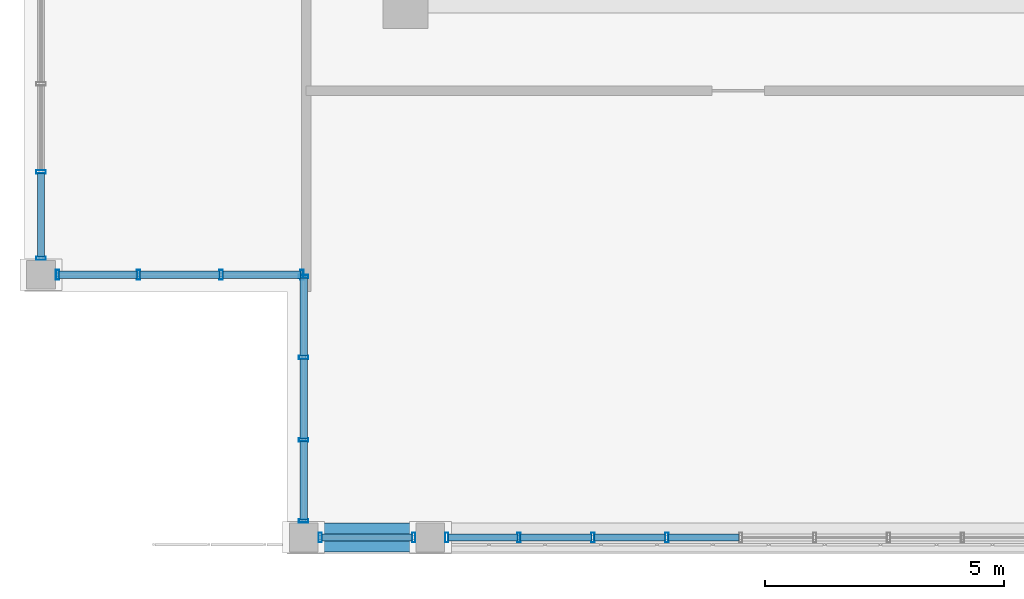
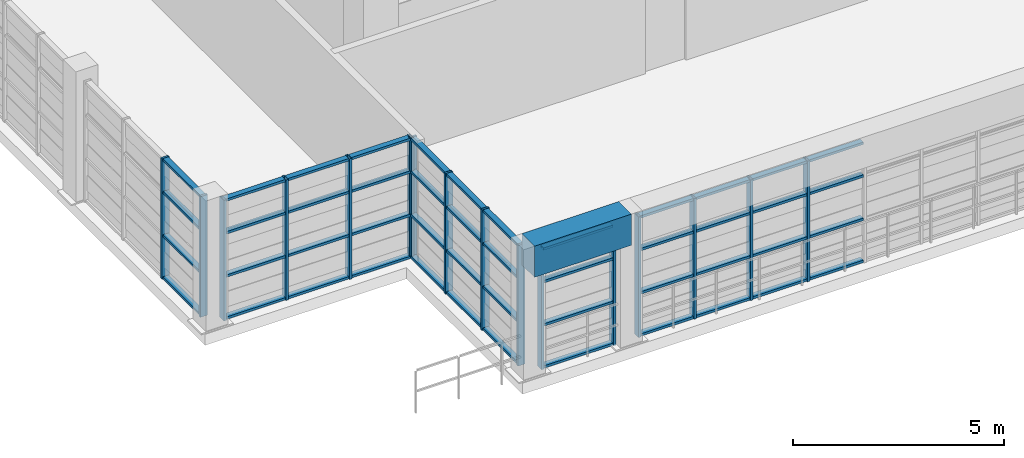
# One storey, part 2 of 24: 64 members, 1 beam, 5 elements without a shape of their own.
"""IFC4 building model written with IfcOpenShell, lengths in metres."""

from ifc_helpers import new_model, si_unit, direction, frame, origin, origin_2d, place, context, subcontext, project, spatial, rectangle, hollow_rectangle, extrude, source, transform, mapped, material, layer, layer_set, material_profile, profile_set, type_object, element, aggregate, save


model = new_model("IFC4")

# Units and contexts
model_context = context("Model", 3, precision=1e-05, world=origin(), true_north=direction((0.0, 1.0)))
body_context = subcontext(model_context, "Body", "Model", "MODEL_VIEW")
ifc_project = project(units=[si_unit("LENGTHUNIT", "METRE"), si_unit("AREAUNIT", "SQUARE_METRE"), si_unit("VOLUMEUNIT", "CUBIC_METRE"), si_unit("PLANEANGLEUNIT", "RADIAN"), si_unit("MASSUNIT", "GRAM", prefix="KILO")], contexts=[model_context])

# Site, building, storey
site_placement = place(None, origin())
site = spatial("IfcSite", under=ifc_project, at=site_placement, CompositionType="ELEMENT")
building_placement = place(site_placement, origin())
building = spatial("IfcBuilding", under=site, at=building_placement, Name="Saelheon Loggia Tower", CompositionType="ELEMENT")
storey_placement = place(building_placement, frame((0.0, 0.0, 252.199951171875)))
storey = spatial("IfcBuildingStorey", under=building, at=storey_placement, Name="CR1", CompositionType="ELEMENT", Elevation=252.199951171875)

# Beam
ifc_material_1 = material(Name="Precast Concrete C45/55", Category="concrete")
ifc_material_profile_1 = material_profile(ifc_material_1, rectangle(XDim=0.60009765625, YDim=0.89990234375, at=origin_2d()), Name="RC-600x900")
ifc_profile_set_1 = profile_set([ifc_material_profile_1], Name="Precast Concrete C45/55")
beam_type = type_object("IfcBeamType", Name="CrownFrame_Ring_RC600x900", PredefinedType="BEAM", material=ifc_profile_set_1)
shared_shape_1 = source(origin(), body_context, "Body", "SweptSolid", [
    extrude(rectangle(XDim=0.60009765625, YDim=0.89990234375, at=origin_2d()), origin(), (0.0, 0.0, 1.0), 2.64990234375),
])
beam_placement = place(storey_placement, frame((28.85009765625, 6.35009765625, 3.35009765625), z_axis=(1.0, 0.0, 0.0), x_axis=(0.0, 1.0, 0.0)))
element("IfcBeam", 1, at=beam_placement, inside=storey, type_object=beam_type, Name="CR1 CROWN FRAME Sill Beam 01", PredefinedType="BEAM", context=body_context, shape_type="MappedRepresentation", body=[
    mapped(shared_shape_1, transform((0.0, 0.0, 0.0), scale=1.0)),
])

# Curtain wall, members
ifc_material_2 = material(Name="Bronze-Anodised Aluminium and Fritted Ceramic Screen", Category="aluminium")
ifc_layer = layer(ifc_material_2, 0.219970703125)
ifc_layer_set = layer_set([ifc_layer], Name="Bronze-Anodised Aluminium and Fritted Ceramic Screen")
curtain_wall_type = type_object("IfcCurtainWallType", Name="CW_CrownScreen", PredefinedType="NOTDEFINED", material=ifc_layer_set)
curtain_wall_1_placement = place(storey_placement, origin())
curtain_wall_1 = element("IfcCurtainWall", 2, at=curtain_wall_1_placement, inside=storey, type_object=curtain_wall_type, Name="CR1 Crown Screen Curtain Wall 0-1", PredefinedType="NOTDEFINED")
ifc_material_3 = material(Name="Bronze-Anodised Aluminium 6063-T6", Category="aluminium")
ifc_material_profile_2 = material_profile(ifc_material_3, hollow_rectangle(XDim=0.070068359375, YDim=0.199951171875, WallThickness=0.0048828125, at=origin_2d()), Name="RHS-200x70x5")
ifc_profile_set_2 = profile_set([ifc_material_profile_2], Name="Bronze-Anodised Aluminium 6063-T6")
member_type_1 = type_object("IfcMemberType", Name="CW_CrownScreen_Mullion", PredefinedType="MULLION", material=ifc_profile_set_2)
shared_shape_2 = source(origin(), body_context, "Body", "SweptSolid", [
    extrude(hollow_rectangle(XDim=0.070068359375, YDim=0.199951171875, WallThickness=0.0048828125, at=origin_2d()), origin(), (0.0, 0.0, 1.0), 3.47998046875),
])
member_1_placement = place(storey_placement, frame((29.195068359375, 6.35009765625, 0.0), z_axis=(0.0, 0.0, 1.0), x_axis=(1.0, 0.0, 0.0)))
member_1 = element("IfcMember", 3, at=member_1_placement, type_object=member_type_1, Name="CW6 mullion 1", PredefinedType="MULLION", context=body_context, shape_type="MappedRepresentation", body=[
    mapped(shared_shape_2, transform((0.0, 0.0, 0.0), scale=1.0)),
])
member_2_placement = place(storey_placement, frame((31.155029296875, 6.35009765625, 0.0), z_axis=(0.0, 0.0, 1.0), x_axis=(1.0, 0.0, 0.0)))
member_2 = element("IfcMember", 4, at=member_2_placement, type_object=member_type_1, Name="CW6 mullion 2", PredefinedType="MULLION", context=body_context, shape_type="MappedRepresentation", body=[
    mapped(shared_shape_2, transform((0.0, 0.0, 0.0), scale=1.0)),
])

curtain_wall_2_placement = place(storey_placement, origin())
curtain_wall_2 = element("IfcCurtainWall", 5, at=curtain_wall_2_placement, inside=storey, type_object=curtain_wall_type, Name="CR1 Crown Screen Curtain Wall 0-2", PredefinedType="NOTDEFINED")
member_3_placement = place(storey_placement, frame((31.844970703125, 6.35009765625, 0.0), z_axis=(0.0, 0.0, 1.0), x_axis=(1.0, 0.0, 0.0)))
member_3 = element("IfcMember", 6, at=member_3_placement, type_object=member_type_1, Name="CW6 mullion 1", PredefinedType="MULLION", context=body_context, shape_type="MappedRepresentation", body=[
    mapped(shared_shape_2, transform((0.0, 0.0, 0.0), scale=1.0)),
])
member_4_placement = place(storey_placement, frame((33.357421875, 6.35009765625, 0.0), z_axis=(0.0, 0.0, 1.0), x_axis=(1.0, 0.0, 0.0)))
member_4 = element("IfcMember", 7, at=member_4_placement, type_object=member_type_1, Name="CW6 mullion 2", PredefinedType="MULLION", context=body_context, shape_type="MappedRepresentation", body=[
    mapped(shared_shape_2, transform((0.0, 0.0, 0.0), scale=1.0)),
])
member_5_placement = place(storey_placement, frame((34.905029296875, 6.35009765625, 0.0), z_axis=(0.0, 0.0, 1.0), x_axis=(1.0, 0.0, 0.0)))
member_5 = element("IfcMember", 8, at=member_5_placement, type_object=member_type_1, Name="CW6 mullion 3", PredefinedType="MULLION", context=body_context, shape_type="MappedRepresentation", body=[
    mapped(shared_shape_2, transform((0.0, 0.0, 0.0), scale=1.0)),
])
member_6_placement = place(storey_placement, frame((36.452392578125, 6.35009765625, 0.0), z_axis=(0.0, 0.0, 1.0), x_axis=(1.0, 0.0, 0.0)))
member_6 = element("IfcMember", 9, at=member_6_placement, type_object=member_type_1, Name="CW6 mullion 4", PredefinedType="MULLION", context=body_context, shape_type="MappedRepresentation", body=[
    mapped(shared_shape_2, transform((0.0, 0.0, 0.0), scale=1.0)),
])

curtain_wall_3_placement = place(storey_placement, origin())
curtain_wall_3 = element("IfcCurtainWall", 10, at=curtain_wall_3_placement, inside=storey, type_object=curtain_wall_type, Name="CR1 Crown Screen Curtain Wall 9-3", PredefinedType="NOTDEFINED")
member_7_placement = place(storey_placement, frame((23.35009765625, 14.00341796875, 0.0), z_axis=(0.0, 0.0, 1.0), x_axis=(0.0, -1.0, 0.0)))
member_7 = element("IfcMember", 11, at=member_7_placement, type_object=member_type_1, Name="CW6 mullion 3", PredefinedType="MULLION", context=body_context, shape_type="MappedRepresentation", body=[
    mapped(shared_shape_2, transform((0.0, 0.0, 0.0), scale=1.0)),
])
member_8_placement = place(storey_placement, frame((23.35009765625, 12.195068359375, 0.0), z_axis=(0.0, 0.0, 1.0), x_axis=(0.0, -1.0, 0.0)))
member_8 = element("IfcMember", 12, at=member_8_placement, type_object=member_type_1, Name="CW6 mullion 4", PredefinedType="MULLION", context=body_context, shape_type="MappedRepresentation", body=[
    mapped(shared_shape_2, transform((0.0, 0.0, 0.0), scale=1.0)),
])

curtain_wall_4_placement = place(storey_placement, origin())
curtain_wall_4 = element("IfcCurtainWall", 13, at=curtain_wall_4_placement, inside=storey, type_object=curtain_wall_type, Name="CR1 Crown Screen Curtain Wall 10-1", PredefinedType="NOTDEFINED")
member_9_placement = place(storey_placement, frame((23.695068359375, 11.85009765625, 0.0), z_axis=(0.0, 0.0, 1.0), x_axis=(1.0, 0.0, 0.0)))
member_9 = element("IfcMember", 14, at=member_9_placement, type_object=member_type_1, Name="CW6 mullion 1", PredefinedType="MULLION", context=body_context, shape_type="MappedRepresentation", body=[
    mapped(shared_shape_2, transform((0.0, 0.0, 0.0), scale=1.0)),
])
member_10_placement = place(storey_placement, frame((25.389892578125, 11.85009765625, 0.0), z_axis=(0.0, 0.0, 1.0), x_axis=(1.0, 0.0, 0.0)))
member_10 = element("IfcMember", 15, at=member_10_placement, type_object=member_type_1, Name="CW6 mullion 2", PredefinedType="MULLION", context=body_context, shape_type="MappedRepresentation", body=[
    mapped(shared_shape_2, transform((0.0, 0.0, 0.0), scale=1.0)),
])
member_11_placement = place(storey_placement, frame((27.1201171875, 11.85009765625, 0.0), z_axis=(0.0, 0.0, 1.0), x_axis=(1.0, 0.0, 0.0)))
member_11 = element("IfcMember", 16, at=member_11_placement, type_object=member_type_1, Name="CW6 mullion 3", PredefinedType="MULLION", context=body_context, shape_type="MappedRepresentation", body=[
    mapped(shared_shape_2, transform((0.0, 0.0, 0.0), scale=1.0)),
])
member_12_placement = place(storey_placement, frame((28.81494140625, 11.85009765625, 0.0), z_axis=(0.0, 0.0, 1.0), x_axis=(1.0, 0.0, 0.0)))
member_12 = element("IfcMember", 17, at=member_12_placement, type_object=member_type_1, Name="CW6 mullion 4", PredefinedType="MULLION", context=body_context, shape_type="MappedRepresentation", body=[
    mapped(shared_shape_2, transform((0.0, 0.0, 0.0), scale=1.0)),
])

curtain_wall_5_placement = place(storey_placement, origin())
curtain_wall_5 = element("IfcCurtainWall", 18, at=curtain_wall_5_placement, inside=storey, type_object=curtain_wall_type, Name="CR1 Crown Screen Curtain Wall 11-1", PredefinedType="NOTDEFINED")
member_13_placement = place(storey_placement, frame((28.85009765625, 11.81494140625, 0.0), z_axis=(0.0, 0.0, 1.0), x_axis=(0.0, -1.0, 0.0)))
member_13 = element("IfcMember", 19, at=member_13_placement, type_object=member_type_1, Name="CW6 mullion 1", PredefinedType="MULLION", context=body_context, shape_type="MappedRepresentation", body=[
    mapped(shared_shape_2, transform((0.0, 0.0, 0.0), scale=1.0)),
])
member_14_placement = place(storey_placement, frame((28.85009765625, 10.1201171875, 0.0), z_axis=(0.0, 0.0, 1.0), x_axis=(0.0, -1.0, 0.0)))
member_14 = element("IfcMember", 20, at=member_14_placement, type_object=member_type_1, Name="CW6 mullion 2", PredefinedType="MULLION", context=body_context, shape_type="MappedRepresentation", body=[
    mapped(shared_shape_2, transform((0.0, 0.0, 0.0), scale=1.0)),
])
member_15_placement = place(storey_placement, frame((28.85009765625, 8.389892578125, 0.0), z_axis=(0.0, 0.0, 1.0), x_axis=(0.0, -1.0, 0.0)))
member_15 = element("IfcMember", 21, at=member_15_placement, type_object=member_type_1, Name="CW6 mullion 3", PredefinedType="MULLION", context=body_context, shape_type="MappedRepresentation", body=[
    mapped(shared_shape_2, transform((0.0, 0.0, 0.0), scale=1.0)),
])
member_16_placement = place(storey_placement, frame((28.85009765625, 6.695068359375, 0.0), z_axis=(0.0, 0.0, 1.0), x_axis=(0.0, -1.0, 0.0)))
member_16 = element("IfcMember", 22, at=member_16_placement, type_object=member_type_1, Name="CW6 mullion 4", PredefinedType="MULLION", context=body_context, shape_type="MappedRepresentation", body=[
    mapped(shared_shape_2, transform((0.0, 0.0, 0.0), scale=1.0)),
])

# Member
ifc_material_profile_3 = material_profile(ifc_material_3, hollow_rectangle(XDim=0.070068359375, YDim=0.14990234375, WallThickness=0.0048828125, at=origin_2d()), Name="RHS-150x70x5")
ifc_profile_set_3 = profile_set([ifc_material_profile_3], Name="Bronze-Anodised Aluminium 6063-T6")
member_type_2 = type_object("IfcMemberType", Name="CW_CrownScreen_Transom", PredefinedType="USERDEFINED", material=ifc_profile_set_3)
shared_shape_3 = source(origin(), body_context, "Body", "SweptSolid", [
    extrude(hollow_rectangle(XDim=0.070068359375, YDim=0.14990234375, WallThickness=0.0048828125, at=origin_2d()), origin(), (0.0, 0.0, 1.0), 1.89013671875),
])
member_17_placement = place(storey_placement, frame((29.22998046875, 6.35009765625, 0.03515625), z_axis=(1.0, 0.0, 0.0), x_axis=(0.0, 0.0, 1.0)))
member_17 = element("IfcMember", 23, at=member_17_placement, type_object=member_type_2, Name="CW6 transom 1.1", ObjectType="TRANSOM", PredefinedType="USERDEFINED", context=body_context, shape_type="MappedRepresentation", body=[
    mapped(shared_shape_3, transform((0.0, 0.0, 0.0), scale=1.0)),
])

member_18_placement = place(storey_placement, frame((29.22998046875, 6.35009765625, 1.25), z_axis=(1.0, 0.0, 0.0), x_axis=(0.0, 0.0, 1.0)))
member_18 = element("IfcMember", 24, at=member_18_placement, type_object=member_type_2, Name="CW6 transom 1.2", ObjectType="TRANSOM", PredefinedType="USERDEFINED", context=body_context, shape_type="MappedRepresentation", body=[
    mapped(shared_shape_3, transform((0.0, 0.0, 0.0), scale=1.0)),
])

member_19_placement = place(storey_placement, frame((29.22998046875, 6.35009765625, 2.5), z_axis=(1.0, 0.0, 0.0), x_axis=(0.0, 0.0, 1.0)))
member_19 = element("IfcMember", 25, at=member_19_placement, type_object=member_type_2, Name="CW6 transom 1.3", ObjectType="TRANSOM", PredefinedType="USERDEFINED", context=body_context, shape_type="MappedRepresentation", body=[
    mapped(shared_shape_3, transform((0.0, 0.0, 0.0), scale=1.0)),
])

member_20_placement = place(storey_placement, frame((29.22998046875, 6.35009765625, 3.445068359375), z_axis=(1.0, 0.0, 0.0), x_axis=(0.0, 0.0, 1.0)))
member_20 = element("IfcMember", 26, at=member_20_placement, type_object=member_type_2, Name="CW6 transom 1.4", ObjectType="TRANSOM", PredefinedType="USERDEFINED", context=body_context, shape_type="MappedRepresentation", body=[
    mapped(shared_shape_3, transform((0.0, 0.0, 0.0), scale=1.0)),
])

aggregate(curtain_wall_1, [member_1, member_2, member_17, member_18, member_19, member_20])

shared_shape_4 = source(origin(), body_context, "Body", "SweptSolid", [
    extrude(hollow_rectangle(XDim=0.070068359375, YDim=0.14990234375, WallThickness=0.0048828125, at=origin_2d()), origin(), (0.0, 0.0, 1.0), 1.442626953125),
])
member_21_placement = place(storey_placement, frame((31.8798828125, 6.35009765625, 0.03515625), z_axis=(1.0, 0.0, 0.0), x_axis=(0.0, 0.0, 1.0)))
member_21 = element("IfcMember", 27, at=member_21_placement, type_object=member_type_2, Name="CW6 transom 1.1", ObjectType="TRANSOM", PredefinedType="USERDEFINED", context=body_context, shape_type="MappedRepresentation", body=[
    mapped(shared_shape_4, transform((0.0, 0.0, 0.0), scale=1.0)),
])

member_22_placement = place(storey_placement, frame((31.8798828125, 6.35009765625, 1.25), z_axis=(1.0, 0.0, 0.0), x_axis=(0.0, 0.0, 1.0)))
member_22 = element("IfcMember", 28, at=member_22_placement, type_object=member_type_2, Name="CW6 transom 1.2", ObjectType="TRANSOM", PredefinedType="USERDEFINED", context=body_context, shape_type="MappedRepresentation", body=[
    mapped(shared_shape_4, transform((0.0, 0.0, 0.0), scale=1.0)),
])

member_23_placement = place(storey_placement, frame((31.8798828125, 6.35009765625, 2.5), z_axis=(1.0, 0.0, 0.0), x_axis=(0.0, 0.0, 1.0)))
member_23 = element("IfcMember", 29, at=member_23_placement, type_object=member_type_2, Name="CW6 transom 1.3", ObjectType="TRANSOM", PredefinedType="USERDEFINED", context=body_context, shape_type="MappedRepresentation", body=[
    mapped(shared_shape_4, transform((0.0, 0.0, 0.0), scale=1.0)),
])

member_24_placement = place(storey_placement, frame((31.8798828125, 6.35009765625, 3.445068359375), z_axis=(1.0, 0.0, 0.0), x_axis=(0.0, 0.0, 1.0)))
member_24 = element("IfcMember", 30, at=member_24_placement, type_object=member_type_2, Name="CW6 transom 1.4", ObjectType="TRANSOM", PredefinedType="USERDEFINED", context=body_context, shape_type="MappedRepresentation", body=[
    mapped(shared_shape_4, transform((0.0, 0.0, 0.0), scale=1.0)),
])

shared_shape_5 = source(origin(), body_context, "Body", "SweptSolid", [
    extrude(hollow_rectangle(XDim=0.070068359375, YDim=0.14990234375, WallThickness=0.0048828125, at=origin_2d()), origin(), (0.0, 0.0, 1.0), 1.4775390625),
])
member_25_placement = place(storey_placement, frame((33.392578125, 6.35009765625, 0.03515625), z_axis=(1.0, 0.0, 0.0), x_axis=(0.0, 0.0, 1.0)))
member_25 = element("IfcMember", 31, at=member_25_placement, type_object=member_type_2, Name="CW6 transom 2.1", ObjectType="TRANSOM", PredefinedType="USERDEFINED", context=body_context, shape_type="MappedRepresentation", body=[
    mapped(shared_shape_5, transform((0.0, 0.0, 0.0), scale=1.0)),
])

member_26_placement = place(storey_placement, frame((33.392578125, 6.35009765625, 1.25), z_axis=(1.0, 0.0, 0.0), x_axis=(0.0, 0.0, 1.0)))
member_26 = element("IfcMember", 32, at=member_26_placement, type_object=member_type_2, Name="CW6 transom 2.2", ObjectType="TRANSOM", PredefinedType="USERDEFINED", context=body_context, shape_type="MappedRepresentation", body=[
    mapped(shared_shape_5, transform((0.0, 0.0, 0.0), scale=1.0)),
])

member_27_placement = place(storey_placement, frame((33.392578125, 6.35009765625, 2.5), z_axis=(1.0, 0.0, 0.0), x_axis=(0.0, 0.0, 1.0)))
member_27 = element("IfcMember", 33, at=member_27_placement, type_object=member_type_2, Name="CW6 transom 2.3", ObjectType="TRANSOM", PredefinedType="USERDEFINED", context=body_context, shape_type="MappedRepresentation", body=[
    mapped(shared_shape_5, transform((0.0, 0.0, 0.0), scale=1.0)),
])

member_28_placement = place(storey_placement, frame((33.392578125, 6.35009765625, 3.445068359375), z_axis=(1.0, 0.0, 0.0), x_axis=(0.0, 0.0, 1.0)))
member_28 = element("IfcMember", 34, at=member_28_placement, type_object=member_type_2, Name="CW6 transom 2.4", ObjectType="TRANSOM", PredefinedType="USERDEFINED", context=body_context, shape_type="MappedRepresentation", body=[
    mapped(shared_shape_5, transform((0.0, 0.0, 0.0), scale=1.0)),
])

member_29_placement = place(storey_placement, frame((34.93994140625, 6.35009765625, 0.03515625), z_axis=(1.0, 0.0, 0.0), x_axis=(0.0, 0.0, 1.0)))
member_29 = element("IfcMember", 35, at=member_29_placement, type_object=member_type_2, Name="CW6 transom 3.1", ObjectType="TRANSOM", PredefinedType="USERDEFINED", context=body_context, shape_type="MappedRepresentation", body=[
    mapped(shared_shape_5, transform((0.0, 0.0, 0.0), scale=1.0)),
])

member_30_placement = place(storey_placement, frame((34.93994140625, 6.35009765625, 1.25), z_axis=(1.0, 0.0, 0.0), x_axis=(0.0, 0.0, 1.0)))
member_30 = element("IfcMember", 36, at=member_30_placement, type_object=member_type_2, Name="CW6 transom 3.2", ObjectType="TRANSOM", PredefinedType="USERDEFINED", context=body_context, shape_type="MappedRepresentation", body=[
    mapped(shared_shape_5, transform((0.0, 0.0, 0.0), scale=1.0)),
])

member_31_placement = place(storey_placement, frame((34.93994140625, 6.35009765625, 2.5), z_axis=(1.0, 0.0, 0.0), x_axis=(0.0, 0.0, 1.0)))
member_31 = element("IfcMember", 37, at=member_31_placement, type_object=member_type_2, Name="CW6 transom 3.3", ObjectType="TRANSOM", PredefinedType="USERDEFINED", context=body_context, shape_type="MappedRepresentation", body=[
    mapped(shared_shape_5, transform((0.0, 0.0, 0.0), scale=1.0)),
])

member_32_placement = place(storey_placement, frame((34.93994140625, 6.35009765625, 3.445068359375), z_axis=(1.0, 0.0, 0.0), x_axis=(0.0, 0.0, 1.0)))
member_32 = element("IfcMember", 38, at=member_32_placement, type_object=member_type_2, Name="CW6 transom 3.4", ObjectType="TRANSOM", PredefinedType="USERDEFINED", context=body_context, shape_type="MappedRepresentation", body=[
    mapped(shared_shape_5, transform((0.0, 0.0, 0.0), scale=1.0)),
])

member_33_placement = place(storey_placement, frame((36.487548828125, 6.35009765625, 0.03515625), z_axis=(1.0, 0.0, 0.0), x_axis=(0.0, 0.0, 1.0)))
member_33 = element("IfcMember", 39, at=member_33_placement, type_object=member_type_2, Name="CW6 transom 4.1", ObjectType="TRANSOM", PredefinedType="USERDEFINED", context=body_context, shape_type="MappedRepresentation", body=[
    mapped(shared_shape_5, transform((0.0, 0.0, 0.0), scale=1.0)),
])

member_34_placement = place(storey_placement, frame((36.487548828125, 6.35009765625, 1.25), z_axis=(1.0, 0.0, 0.0), x_axis=(0.0, 0.0, 1.0)))
member_34 = element("IfcMember", 40, at=member_34_placement, type_object=member_type_2, Name="CW6 transom 4.2", ObjectType="TRANSOM", PredefinedType="USERDEFINED", context=body_context, shape_type="MappedRepresentation", body=[
    mapped(shared_shape_5, transform((0.0, 0.0, 0.0), scale=1.0)),
])

member_35_placement = place(storey_placement, frame((36.487548828125, 6.35009765625, 2.5), z_axis=(1.0, 0.0, 0.0), x_axis=(0.0, 0.0, 1.0)))
member_35 = element("IfcMember", 41, at=member_35_placement, type_object=member_type_2, Name="CW6 transom 4.3", ObjectType="TRANSOM", PredefinedType="USERDEFINED", context=body_context, shape_type="MappedRepresentation", body=[
    mapped(shared_shape_5, transform((0.0, 0.0, 0.0), scale=1.0)),
])

member_36_placement = place(storey_placement, frame((36.487548828125, 6.35009765625, 3.445068359375), z_axis=(1.0, 0.0, 0.0), x_axis=(0.0, 0.0, 1.0)))
member_36 = element("IfcMember", 42, at=member_36_placement, type_object=member_type_2, Name="CW6 transom 4.4", ObjectType="TRANSOM", PredefinedType="USERDEFINED", context=body_context, shape_type="MappedRepresentation", body=[
    mapped(shared_shape_5, transform((0.0, 0.0, 0.0), scale=1.0)),
])

aggregate(curtain_wall_2, [member_3, member_4, member_5, member_6, member_21, member_22, member_23, member_24, member_25, member_26, member_27, member_28, member_29, member_30, member_31, member_32, member_33, member_34, member_35, member_36])

shared_shape_6 = source(origin(), body_context, "Body", "SweptSolid", [
    extrude(hollow_rectangle(XDim=0.070068359375, YDim=0.14990234375, WallThickness=0.0048828125, at=origin_2d()), origin(), (0.0, 0.0, 1.0), 1.625),
])
member_37_placement = place(storey_placement, frame((23.72998046875, 11.85009765625, 0.03515625), z_axis=(1.0, 0.0, 0.0), x_axis=(0.0, 0.0, 1.0)))
member_37 = element("IfcMember", 43, at=member_37_placement, type_object=member_type_2, Name="CW6 transom 1.1", ObjectType="TRANSOM", PredefinedType="USERDEFINED", context=body_context, shape_type="MappedRepresentation", body=[
    mapped(shared_shape_6, transform((0.0, 0.0, 0.0), scale=1.0)),
])

member_38_placement = place(storey_placement, frame((23.72998046875, 11.85009765625, 1.25), z_axis=(1.0, 0.0, 0.0), x_axis=(0.0, 0.0, 1.0)))
member_38 = element("IfcMember", 44, at=member_38_placement, type_object=member_type_2, Name="CW6 transom 1.2", ObjectType="TRANSOM", PredefinedType="USERDEFINED", context=body_context, shape_type="MappedRepresentation", body=[
    mapped(shared_shape_6, transform((0.0, 0.0, 0.0), scale=1.0)),
])

member_39_placement = place(storey_placement, frame((23.72998046875, 11.85009765625, 2.5), z_axis=(1.0, 0.0, 0.0), x_axis=(0.0, 0.0, 1.0)))
member_39 = element("IfcMember", 45, at=member_39_placement, type_object=member_type_2, Name="CW6 transom 1.3", ObjectType="TRANSOM", PredefinedType="USERDEFINED", context=body_context, shape_type="MappedRepresentation", body=[
    mapped(shared_shape_6, transform((0.0, 0.0, 0.0), scale=1.0)),
])

member_40_placement = place(storey_placement, frame((23.72998046875, 11.85009765625, 3.445068359375), z_axis=(1.0, 0.0, 0.0), x_axis=(0.0, 0.0, 1.0)))
member_40 = element("IfcMember", 46, at=member_40_placement, type_object=member_type_2, Name="CW6 transom 1.4", ObjectType="TRANSOM", PredefinedType="USERDEFINED", context=body_context, shape_type="MappedRepresentation", body=[
    mapped(shared_shape_6, transform((0.0, 0.0, 0.0), scale=1.0)),
])

member_41_placement = place(storey_placement, frame((27.155029296875, 11.85009765625, 0.03515625), z_axis=(1.0, 0.0, 0.0), x_axis=(0.0, 0.0, 1.0)))
member_41 = element("IfcMember", 47, at=member_41_placement, type_object=member_type_2, Name="CW6 transom 3.1", ObjectType="TRANSOM", PredefinedType="USERDEFINED", context=body_context, shape_type="MappedRepresentation", body=[
    mapped(shared_shape_6, transform((0.0, 0.0, 0.0), scale=1.0)),
])

member_42_placement = place(storey_placement, frame((27.155029296875, 11.85009765625, 1.25), z_axis=(1.0, 0.0, 0.0), x_axis=(0.0, 0.0, 1.0)))
member_42 = element("IfcMember", 48, at=member_42_placement, type_object=member_type_2, Name="CW6 transom 3.2", ObjectType="TRANSOM", PredefinedType="USERDEFINED", context=body_context, shape_type="MappedRepresentation", body=[
    mapped(shared_shape_6, transform((0.0, 0.0, 0.0), scale=1.0)),
])

member_43_placement = place(storey_placement, frame((27.155029296875, 11.85009765625, 2.5), z_axis=(1.0, 0.0, 0.0), x_axis=(0.0, 0.0, 1.0)))
member_43 = element("IfcMember", 49, at=member_43_placement, type_object=member_type_2, Name="CW6 transom 3.3", ObjectType="TRANSOM", PredefinedType="USERDEFINED", context=body_context, shape_type="MappedRepresentation", body=[
    mapped(shared_shape_6, transform((0.0, 0.0, 0.0), scale=1.0)),
])

member_44_placement = place(storey_placement, frame((27.155029296875, 11.85009765625, 3.445068359375), z_axis=(1.0, 0.0, 0.0), x_axis=(0.0, 0.0, 1.0)))
member_44 = element("IfcMember", 50, at=member_44_placement, type_object=member_type_2, Name="CW6 transom 3.4", ObjectType="TRANSOM", PredefinedType="USERDEFINED", context=body_context, shape_type="MappedRepresentation", body=[
    mapped(shared_shape_6, transform((0.0, 0.0, 0.0), scale=1.0)),
])

member_45_placement = place(storey_placement, frame((28.85009765625, 11.780029296875, 0.03515625), z_axis=(0.0, -1.0, 0.0), x_axis=(0.0, 0.0, 1.0)))
member_45 = element("IfcMember", 51, at=member_45_placement, type_object=member_type_2, Name="CW6 transom 1.1", ObjectType="TRANSOM", PredefinedType="USERDEFINED", context=body_context, shape_type="MappedRepresentation", body=[
    mapped(shared_shape_6, transform((0.0, 0.0, 0.0), scale=1.0)),
])

member_46_placement = place(storey_placement, frame((28.85009765625, 11.780029296875, 1.25), z_axis=(0.0, -1.0, 0.0), x_axis=(0.0, 0.0, 1.0)))
member_46 = element("IfcMember", 52, at=member_46_placement, type_object=member_type_2, Name="CW6 transom 1.2", ObjectType="TRANSOM", PredefinedType="USERDEFINED", context=body_context, shape_type="MappedRepresentation", body=[
    mapped(shared_shape_6, transform((0.0, 0.0, 0.0), scale=1.0)),
])

member_47_placement = place(storey_placement, frame((28.85009765625, 11.780029296875, 2.5), z_axis=(0.0, -1.0, 0.0), x_axis=(0.0, 0.0, 1.0)))
member_47 = element("IfcMember", 53, at=member_47_placement, type_object=member_type_2, Name="CW6 transom 1.3", ObjectType="TRANSOM", PredefinedType="USERDEFINED", context=body_context, shape_type="MappedRepresentation", body=[
    mapped(shared_shape_6, transform((0.0, 0.0, 0.0), scale=1.0)),
])

member_48_placement = place(storey_placement, frame((28.85009765625, 11.780029296875, 3.445068359375), z_axis=(0.0, -1.0, 0.0), x_axis=(0.0, 0.0, 1.0)))
member_48 = element("IfcMember", 54, at=member_48_placement, type_object=member_type_2, Name="CW6 transom 1.4", ObjectType="TRANSOM", PredefinedType="USERDEFINED", context=body_context, shape_type="MappedRepresentation", body=[
    mapped(shared_shape_6, transform((0.0, 0.0, 0.0), scale=1.0)),
])

member_49_placement = place(storey_placement, frame((28.85009765625, 8.35498046875, 0.03515625), z_axis=(0.0, -1.0, 0.0), x_axis=(0.0, 0.0, 1.0)))
member_49 = element("IfcMember", 55, at=member_49_placement, type_object=member_type_2, Name="CW6 transom 3.1", ObjectType="TRANSOM", PredefinedType="USERDEFINED", context=body_context, shape_type="MappedRepresentation", body=[
    mapped(shared_shape_6, transform((0.0, 0.0, 0.0), scale=1.0)),
])

member_50_placement = place(storey_placement, frame((28.85009765625, 8.35498046875, 1.25), z_axis=(0.0, -1.0, 0.0), x_axis=(0.0, 0.0, 1.0)))
member_50 = element("IfcMember", 56, at=member_50_placement, type_object=member_type_2, Name="CW6 transom 3.2", ObjectType="TRANSOM", PredefinedType="USERDEFINED", context=body_context, shape_type="MappedRepresentation", body=[
    mapped(shared_shape_6, transform((0.0, 0.0, 0.0), scale=1.0)),
])

member_51_placement = place(storey_placement, frame((28.85009765625, 8.35498046875, 2.5), z_axis=(0.0, -1.0, 0.0), x_axis=(0.0, 0.0, 1.0)))
member_51 = element("IfcMember", 57, at=member_51_placement, type_object=member_type_2, Name="CW6 transom 3.3", ObjectType="TRANSOM", PredefinedType="USERDEFINED", context=body_context, shape_type="MappedRepresentation", body=[
    mapped(shared_shape_6, transform((0.0, 0.0, 0.0), scale=1.0)),
])

member_52_placement = place(storey_placement, frame((28.85009765625, 8.35498046875, 3.445068359375), z_axis=(0.0, -1.0, 0.0), x_axis=(0.0, 0.0, 1.0)))
member_52 = element("IfcMember", 58, at=member_52_placement, type_object=member_type_2, Name="CW6 transom 3.4", ObjectType="TRANSOM", PredefinedType="USERDEFINED", context=body_context, shape_type="MappedRepresentation", body=[
    mapped(shared_shape_6, transform((0.0, 0.0, 0.0), scale=1.0)),
])

shared_shape_7 = source(origin(), body_context, "Body", "SweptSolid", [
    extrude(hollow_rectangle(XDim=0.070068359375, YDim=0.14990234375, WallThickness=0.0048828125, at=origin_2d()), origin(), (0.0, 0.0, 1.0), 1.659912109375),
])
member_53_placement = place(storey_placement, frame((25.425048828125, 11.85009765625, 0.03515625), z_axis=(1.0, 0.0, 0.0), x_axis=(0.0, 0.0, 1.0)))
member_53 = element("IfcMember", 59, at=member_53_placement, type_object=member_type_2, Name="CW6 transom 2.1", ObjectType="TRANSOM", PredefinedType="USERDEFINED", context=body_context, shape_type="MappedRepresentation", body=[
    mapped(shared_shape_7, transform((0.0, 0.0, 0.0), scale=1.0)),
])

member_54_placement = place(storey_placement, frame((25.425048828125, 11.85009765625, 1.25), z_axis=(1.0, 0.0, 0.0), x_axis=(0.0, 0.0, 1.0)))
member_54 = element("IfcMember", 60, at=member_54_placement, type_object=member_type_2, Name="CW6 transom 2.2", ObjectType="TRANSOM", PredefinedType="USERDEFINED", context=body_context, shape_type="MappedRepresentation", body=[
    mapped(shared_shape_7, transform((0.0, 0.0, 0.0), scale=1.0)),
])

member_55_placement = place(storey_placement, frame((25.425048828125, 11.85009765625, 2.5), z_axis=(1.0, 0.0, 0.0), x_axis=(0.0, 0.0, 1.0)))
member_55 = element("IfcMember", 61, at=member_55_placement, type_object=member_type_2, Name="CW6 transom 2.3", ObjectType="TRANSOM", PredefinedType="USERDEFINED", context=body_context, shape_type="MappedRepresentation", body=[
    mapped(shared_shape_7, transform((0.0, 0.0, 0.0), scale=1.0)),
])

member_56_placement = place(storey_placement, frame((25.425048828125, 11.85009765625, 3.445068359375), z_axis=(1.0, 0.0, 0.0), x_axis=(0.0, 0.0, 1.0)))
member_56 = element("IfcMember", 62, at=member_56_placement, type_object=member_type_2, Name="CW6 transom 2.4", ObjectType="TRANSOM", PredefinedType="USERDEFINED", context=body_context, shape_type="MappedRepresentation", body=[
    mapped(shared_shape_7, transform((0.0, 0.0, 0.0), scale=1.0)),
])

aggregate(curtain_wall_4, [member_9, member_10, member_11, member_12, member_37, member_38, member_39, member_40, member_53, member_54, member_55, member_56, member_41, member_42, member_43, member_44])

member_57_placement = place(storey_placement, frame((28.85009765625, 10.0849609375, 0.03515625), z_axis=(0.0, -1.0, 0.0), x_axis=(0.0, 0.0, 1.0)))
member_57 = element("IfcMember", 63, at=member_57_placement, type_object=member_type_2, Name="CW6 transom 2.1", ObjectType="TRANSOM", PredefinedType="USERDEFINED", context=body_context, shape_type="MappedRepresentation", body=[
    mapped(shared_shape_7, transform((0.0, 0.0, 0.0), scale=1.0)),
])

member_58_placement = place(storey_placement, frame((28.85009765625, 10.0849609375, 1.25), z_axis=(0.0, -1.0, 0.0), x_axis=(0.0, 0.0, 1.0)))
member_58 = element("IfcMember", 64, at=member_58_placement, type_object=member_type_2, Name="CW6 transom 2.2", ObjectType="TRANSOM", PredefinedType="USERDEFINED", context=body_context, shape_type="MappedRepresentation", body=[
    mapped(shared_shape_7, transform((0.0, 0.0, 0.0), scale=1.0)),
])

member_59_placement = place(storey_placement, frame((28.85009765625, 10.0849609375, 2.5), z_axis=(0.0, -1.0, 0.0), x_axis=(0.0, 0.0, 1.0)))
member_59 = element("IfcMember", 65, at=member_59_placement, type_object=member_type_2, Name="CW6 transom 2.3", ObjectType="TRANSOM", PredefinedType="USERDEFINED", context=body_context, shape_type="MappedRepresentation", body=[
    mapped(shared_shape_7, transform((0.0, 0.0, 0.0), scale=1.0)),
])

member_60_placement = place(storey_placement, frame((28.85009765625, 10.0849609375, 3.445068359375), z_axis=(0.0, -1.0, 0.0), x_axis=(0.0, 0.0, 1.0)))
member_60 = element("IfcMember", 66, at=member_60_placement, type_object=member_type_2, Name="CW6 transom 2.4", ObjectType="TRANSOM", PredefinedType="USERDEFINED", context=body_context, shape_type="MappedRepresentation", body=[
    mapped(shared_shape_7, transform((0.0, 0.0, 0.0), scale=1.0)),
])

aggregate(curtain_wall_5, [member_13, member_14, member_15, member_16, member_45, member_46, member_47, member_48, member_57, member_58, member_59, member_60, member_49, member_50, member_51, member_52])

shared_shape_8 = source(origin(), body_context, "Body", "SweptSolid", [
    extrude(hollow_rectangle(XDim=0.070068359375, YDim=0.14990234375, WallThickness=0.0048828125, at=origin_2d()), origin(), (0.0, 0.0, 1.0), 1.73828125),
])
member_61_placement = place(storey_placement, frame((23.35009765625, 13.96826171875, 0.03515625), z_axis=(0.0, -1.0, 0.0), x_axis=(0.0, 0.0, 1.0)))
member_61 = element("IfcMember", 67, at=member_61_placement, type_object=member_type_2, Name="CW6 transom 3.1", ObjectType="TRANSOM", PredefinedType="USERDEFINED", context=body_context, shape_type="MappedRepresentation", body=[
    mapped(shared_shape_8, transform((0.0, 0.0, 0.0), scale=1.0)),
])

member_62_placement = place(storey_placement, frame((23.35009765625, 13.96826171875, 1.25), z_axis=(0.0, -1.0, 0.0), x_axis=(0.0, 0.0, 1.0)))
member_62 = element("IfcMember", 68, at=member_62_placement, type_object=member_type_2, Name="CW6 transom 3.2", ObjectType="TRANSOM", PredefinedType="USERDEFINED", context=body_context, shape_type="MappedRepresentation", body=[
    mapped(shared_shape_8, transform((0.0, 0.0, 0.0), scale=1.0)),
])

member_63_placement = place(storey_placement, frame((23.35009765625, 13.96826171875, 2.5), z_axis=(0.0, -1.0, 0.0), x_axis=(0.0, 0.0, 1.0)))
member_63 = element("IfcMember", 69, at=member_63_placement, type_object=member_type_2, Name="CW6 transom 3.3", ObjectType="TRANSOM", PredefinedType="USERDEFINED", context=body_context, shape_type="MappedRepresentation", body=[
    mapped(shared_shape_8, transform((0.0, 0.0, 0.0), scale=1.0)),
])

member_64_placement = place(storey_placement, frame((23.35009765625, 13.96826171875, 3.445068359375), z_axis=(0.0, -1.0, 0.0), x_axis=(0.0, 0.0, 1.0)))
member_64 = element("IfcMember", 70, at=member_64_placement, type_object=member_type_2, Name="CW6 transom 3.4", ObjectType="TRANSOM", PredefinedType="USERDEFINED", context=body_context, shape_type="MappedRepresentation", body=[
    mapped(shared_shape_8, transform((0.0, 0.0, 0.0), scale=1.0)),
])

aggregate(curtain_wall_3, [member_7, member_8, member_61, member_62, member_63, member_64])

save(model, "model.ifc")
